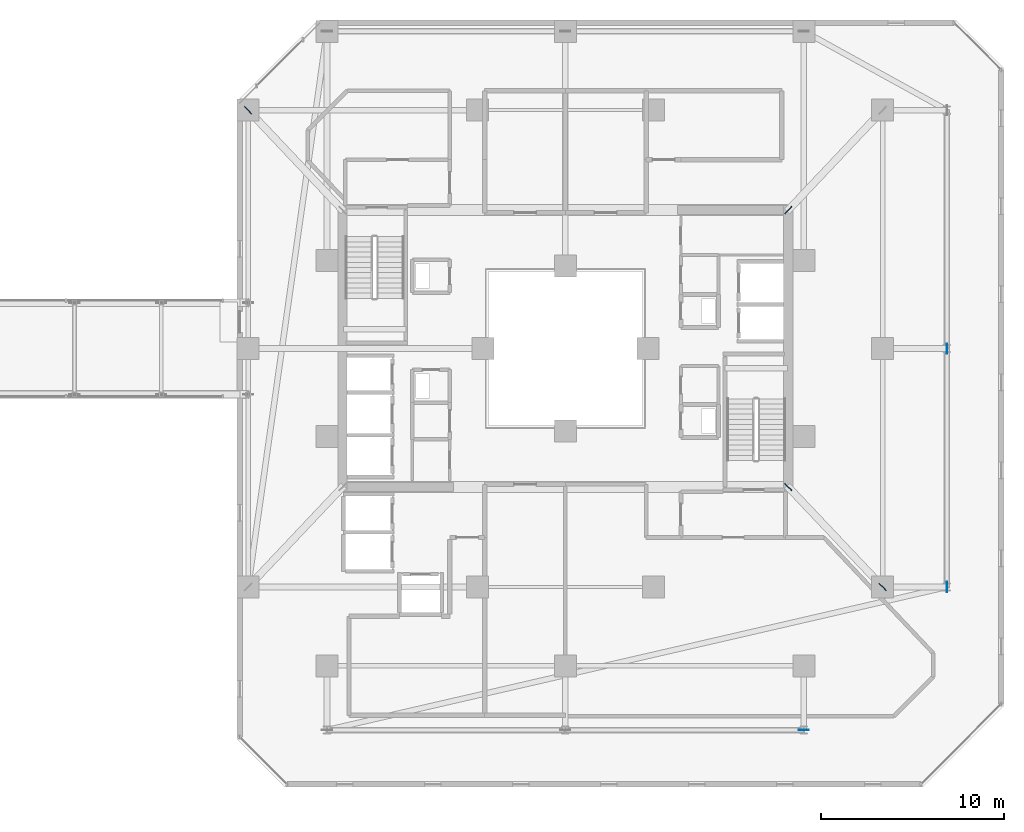
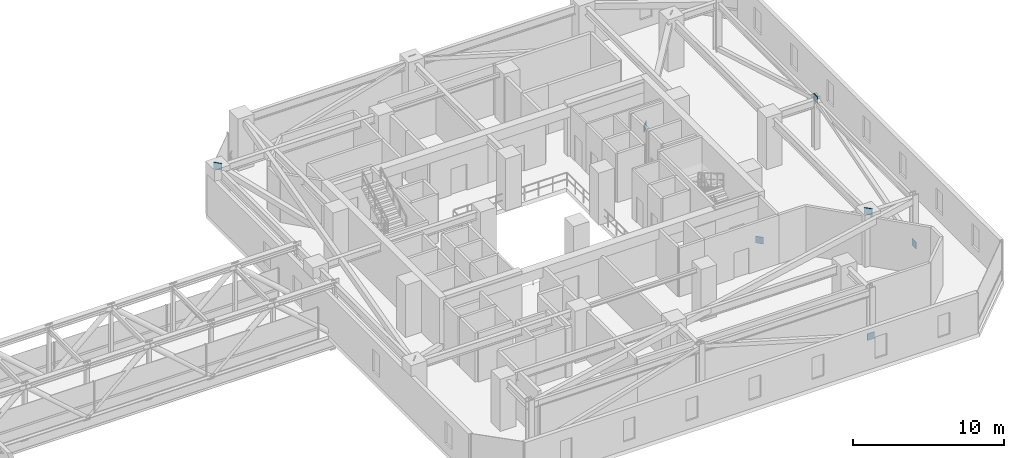
# One storey, part 33 of 45: 7 plates.
"""IFC4 building model written with IfcOpenShell, lengths in metres."""

from ifc_helpers import new_model, si_unit, direction, frame, origin, origin_2d, place, context, subcontext, project, spatial, rectangle, extrude, material, layer, layer_set, type_object, element, save


model = new_model("IFC4")

# Units and contexts
model_context = context("Model", 3, precision=1e-05, world=origin(), true_north=direction((0.0, 1.0)))
body_context = subcontext(model_context, "Body", "Model", "MODEL_VIEW")
ifc_project = project(units=[si_unit("LENGTHUNIT", "METRE"), si_unit("AREAUNIT", "SQUARE_METRE"), si_unit("VOLUMEUNIT", "CUBIC_METRE"), si_unit("PLANEANGLEUNIT", "RADIAN"), si_unit("MASSUNIT", "GRAM", prefix="KILO")], contexts=[model_context])

# Site, building, storey
site_placement = place(None, origin())
site = spatial("IfcSite", under=ifc_project, at=site_placement, CompositionType="ELEMENT")
building_placement = place(site_placement, origin())
building = spatial("IfcBuilding", under=site, at=building_placement, Name="Thornwick Lancets Civic Towers", CompositionType="ELEMENT")
storey_placement = place(building_placement, frame((0.0, 0.0, 141.300048828125)))
storey = spatial("IfcBuildingStorey", under=building, at=storey_placement, Name="L37", CompositionType="ELEMENT", Elevation=141.300048828125)

# Plates
ifc_material = material(Name="Steel S460M", Category="steel")
ifc_layer = layer(ifc_material, 0.0400390625, Name="Steel S460M")
ifc_layer_set = layer_set([ifc_layer], Name="Steel S460M")
plate_type = type_object("IfcPlateType", Name="PLT_GUSSET_40", PredefinedType="USERDEFINED", material=ifc_layer_set)
for number, where, z_axis, x_axis, name in (
    (1, (109.300048828125, 14.0, -0.125), (0.0, 0.0, 1.0), (0.0, 1.0, 0.0), "L37 Brace Connection Gusset Plate 0224"),
    (2, (109.300048828125, 27.0, 3.68505859375), (0.0, 0.0, 1.0), (0.0, 1.0, 0.0), "L37 Brace Connection Gusset Plate 0225"),
    (3, (101.5, 6.199951171875, -0.125), (0.0, 0.0, 1.0), (-1.0, 0.0, 0.0), "L37 Brace Connection Gusset Plate 0230"),
    (4, (100.64990234375, 19.449951171875, -0.125), (0.0, 0.0, 1.0), (0.686833846544, -0.726814465487, 0.0), "L37 Brace Connection Gusset Plate 0233"),
    (5, (105.800048828125, 14.0, 3.68505859375), (0.0, 0.0, 1.0), (0.686833846544, -0.726814465487, 0.0), "L37 Brace Connection Gusset Plate 0234"),
    (6, (100.64990234375, 34.550048828125, -0.125), (0.0, 0.0, 1.0), (0.686833846544, 0.726814465487, 0.0), "L37 Brace Connection Gusset Plate 0235"),
    (7, (71.199951171875, 40.0, 3.68505859375), (0.0, 0.0, 1.0), (-0.686833846544, 0.726814465487, 0.0), "L37 Brace Connection Gusset Plate 0240"),
):
    element("IfcPlate", number, at=place(storey_placement, frame(where, z_axis=z_axis, x_axis=x_axis)), inside=storey, type_object=plate_type, Name=name, ObjectType="GUSSET_PLATE", PredefinedType="USERDEFINED", context=body_context, shape_type="SweptSolid", body=[
        extrude(rectangle(XDim=0.550048828125, YDim=0.0400390625, at=origin_2d()), origin(), (0.0, 0.0, 1.0), 0.550048828125),
    ])

save(model, "model.ifc")
